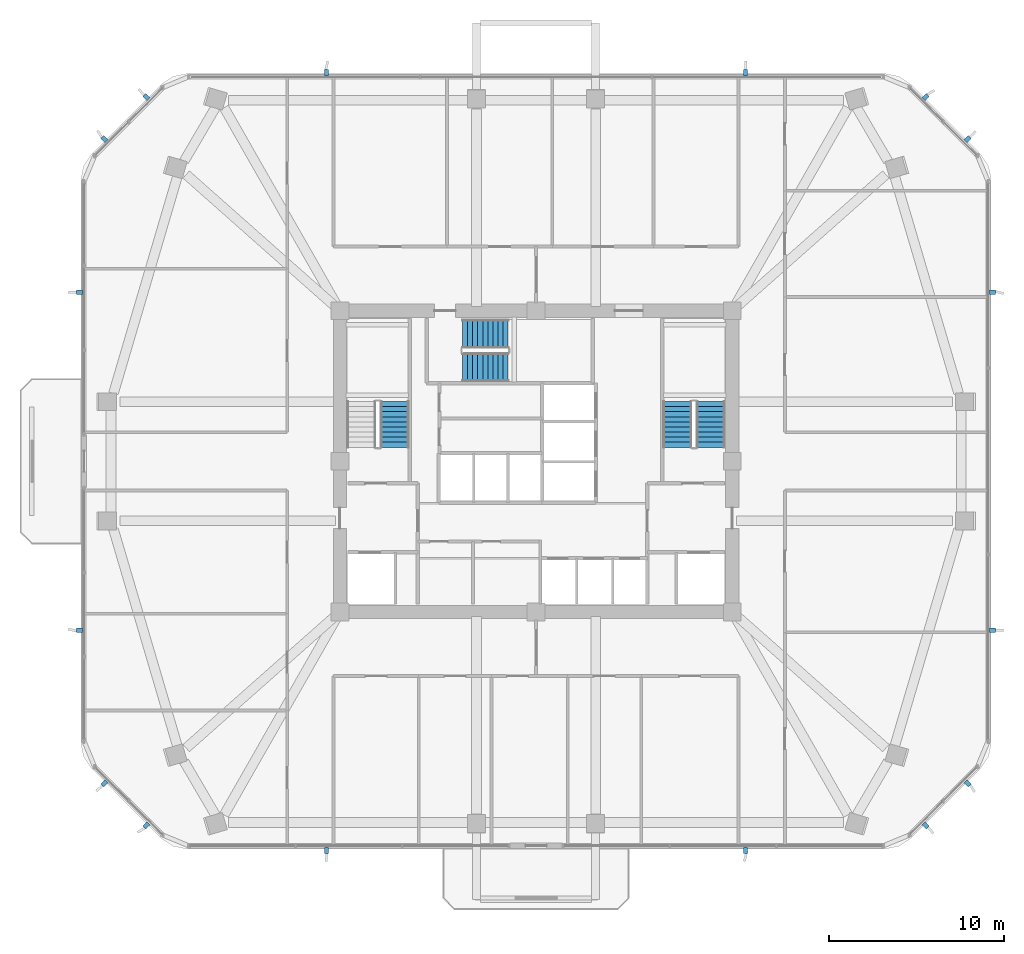
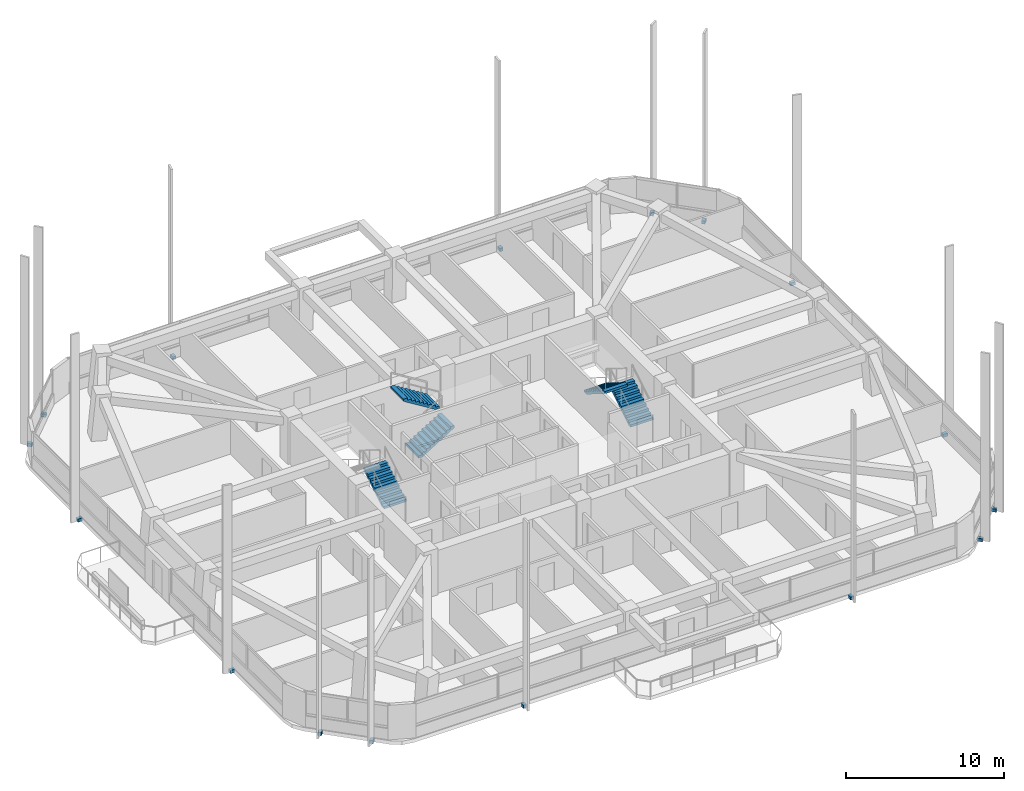
# One storey, part 11 of 15: 16 discrete accessories, 5 stair flights, 3 elements without a shape of their own.
"""IFC4 building model written with IfcOpenShell, lengths in metres."""

from ifc_helpers import new_model, si_unit, derived_unit, direction, frame, origin, origin_2d, place, context, subcontext, project, spatial, polyline, rectangle, outline, extrude, material, type_object, element, aggregate, save


model = new_model("IFC4")

# Units and contexts
model_context = context("Model", 3, precision=1e-05, world=origin(), true_north=direction((0.0, 1.0)))
body_context = subcontext(model_context, "Body", "Model", "MODEL_VIEW")
ifc_project = project(units=[si_unit("LENGTHUNIT", "METRE"), si_unit("AREAUNIT", "SQUARE_METRE"), si_unit("VOLUMEUNIT", "CUBIC_METRE"), si_unit("PLANEANGLEUNIT", "RADIAN"), si_unit("MASSUNIT", "GRAM", prefix="KILO"), derived_unit("THERMALTRANSMITTANCEUNIT", [(si_unit("POWERUNIT", "WATT"), 1), (si_unit("LENGTHUNIT", "METRE"), -2), (si_unit("THERMODYNAMICTEMPERATUREUNIT", "KELVIN"), -1)])], contexts=[model_context])

# Site, building, storey
site_placement = place(None, origin())
site = spatial("IfcSite", under=ifc_project, at=site_placement, CompositionType="ELEMENT")
building_placement = place(site_placement, origin())
building = spatial("IfcBuilding", under=site, at=building_placement, Name="Koralith Skygarden Medical Center", CompositionType="ELEMENT")
storey_placement = place(building_placement, frame((0.0, 0.0, 99.179931640625)))
storey = spatial("IfcBuildingStorey", under=building, at=storey_placement, Name="L25", CompositionType="ELEMENT", Elevation=99.179931640625)

# Stair, stair flight
ifc_material_1 = material(Name="Concrete C45/55", Category="concrete")
stair_type = type_object("IfcStairType", Name="Core Exit Dogleg Concrete Stair", PredefinedType="HALF_TURN_STAIR", material=ifc_material_1)
stair_1_placement = place(storey_placement, origin())
stair_1 = element("IfcStair", 1, at=stair_1_placement, inside=storey, type_object=stair_type, Name="L25 Smokeproof Exit Stair ST1", PredefinedType="HALF_TURN_STAIR")
stair_flight_type = type_object("IfcStairFlightType", Name="Core Exit Concrete Stair Flight 1650", PredefinedType="STRAIGHT", material=ifc_material_1)
stair_flight_1_placement = place(storey_placement, frame((28.925048828125, 26.699951171875, 0.0), z_axis=(0.0, 0.0, 1.0), x_axis=(0.0, 1.0, 0.0)))
stair_flight_1 = element("IfcStairFlight", 2, at=stair_flight_1_placement, type_object=stair_flight_type, Name="ST1 flight 1", NumberOfRisers=10, NumberOfTreads=9, PredefinedType="STRAIGHT", RiserHeight=0.18, TreadLength=0.29, context=body_context, shape_type="SweptSolid", body=[
    extrude(outline(polyline([(0.0, 0.0), (0.0, 0.179931640625), (0.2900390625, 0.179931640625), (0.2900390625, 0.360107421875), (0.580078125, 0.360107421875), (0.580078125, 0.5400390625), (0.8701171875, 0.5400390625), (0.8701171875, 0.719970703125), (1.159912109375, 0.719970703125), (1.159912109375, 0.89990234375), (1.449951171875, 0.89990234375), (1.449951171875, 1.080078125), (1.739990234375, 1.080078125), (1.739990234375, 1.260009765625), (2.030029296875, 1.260009765625), (2.030029296875, 1.43994140625), (2.320068359375, 1.43994140625), (2.320068359375, 1.6201171875), (2.610107421875, 1.6201171875), (2.610107421875, 1.800048828125), (2.610107421875, 1.443603515625), (0.2841796875, 0.0), (0.0, 0.0)])), frame((0.0, 0.824951171875, 0.0), z_axis=(0.0, -1.0, 0.0), x_axis=(1.0, 0.0, 0.0)), (0.0, 0.0, 1.0), 1.64990234375),
])
aggregate(stair_1, [stair_flight_1])

# Stair, stair flights
stair_2_placement = place(storey_placement, origin())
stair_2 = element("IfcStair", 3, at=stair_2_placement, inside=storey, type_object=stair_type, Name="L25 Smokeproof Exit Stair ST2", PredefinedType="HALF_TURN_STAIR")
stair_flight_2_placement = place(storey_placement, frame((46.97509765625, 26.699951171875, 0.0), z_axis=(0.0, 0.0, 1.0), x_axis=(0.0, 1.0, 0.0)))
stair_flight_2 = element("IfcStairFlight", 4, at=stair_flight_2_placement, type_object=stair_flight_type, Name="ST2 flight 1", NumberOfRisers=10, NumberOfTreads=9, PredefinedType="STRAIGHT", RiserHeight=0.18, TreadLength=0.29, context=body_context, shape_type="SweptSolid", body=[
    extrude(outline(polyline([(0.0, 0.0), (0.0, 0.179931640625), (0.2900390625, 0.179931640625), (0.2900390625, 0.360107421875), (0.580078125, 0.360107421875), (0.580078125, 0.5400390625), (0.8701171875, 0.5400390625), (0.8701171875, 0.719970703125), (1.159912109375, 0.719970703125), (1.159912109375, 0.89990234375), (1.449951171875, 0.89990234375), (1.449951171875, 1.080078125), (1.739990234375, 1.080078125), (1.739990234375, 1.260009765625), (2.030029296875, 1.260009765625), (2.030029296875, 1.43994140625), (2.320068359375, 1.43994140625), (2.320068359375, 1.6201171875), (2.610107421875, 1.6201171875), (2.610107421875, 1.800048828125), (2.610107421875, 1.443603515625), (0.2841796875, 0.0), (0.0, 0.0)])), frame((0.0, 0.824951171875, 0.0), z_axis=(0.0, -1.0, 0.0), x_axis=(1.0, 0.0, 0.0)), (0.0, 0.0, 1.0), 1.64990234375),
])
stair_flight_3_placement = place(storey_placement, frame((45.074951171875, 29.31005859375, 1.800048828125), z_axis=(0.0, 0.0, 1.0), x_axis=(0.0, -1.0, 0.0)))
stair_flight_3 = element("IfcStairFlight", 5, at=stair_flight_3_placement, type_object=stair_flight_type, Name="ST2 flight 2", NumberOfRisers=10, NumberOfTreads=9, PredefinedType="STRAIGHT", RiserHeight=0.18, TreadLength=0.29, context=body_context, shape_type="SweptSolid", body=[
    extrude(outline(polyline([(0.0, 0.0), (0.0, 0.179931640625), (0.2900390625, 0.179931640625), (0.2900390625, 0.360107421875), (0.580078125, 0.360107421875), (0.580078125, 0.5400390625), (0.8701171875, 0.5400390625), (0.8701171875, 0.719970703125), (1.159912109375, 0.719970703125), (1.159912109375, 0.89990234375), (1.449951171875, 0.89990234375), (1.449951171875, 1.080078125), (1.739990234375, 1.080078125), (1.739990234375, 1.260009765625), (2.030029296875, 1.260009765625), (2.030029296875, 1.43994140625), (2.320068359375, 1.43994140625), (2.320068359375, 1.6201171875), (2.610107421875, 1.6201171875), (2.610107421875, 1.800048828125), (2.610107421875, 1.443603515625), (0.2841796875, 0.0), (0.0, 0.0)])), frame((0.0, 0.824951171875, 0.0), z_axis=(0.0, -1.0, 0.0), x_axis=(1.0, 0.0, 0.0)), (0.0, 0.0, 1.0), 1.64990234375),
])
aggregate(stair_2, [stair_flight_2, stair_flight_3])

stair_3_placement = place(storey_placement, origin())
stair_3 = element("IfcStair", 6, at=stair_3_placement, inside=storey, type_object=stair_type, Name="L25 Smokeproof Exit Stair ST3", PredefinedType="HALF_TURN_STAIR")
stair_flight_4_placement = place(storey_placement, frame((32.800048828125, 31.27490234375, 0.0), z_axis=(0.0, 0.0, 1.0), x_axis=(1.0, 0.0, 0.0)))
stair_flight_4 = element("IfcStairFlight", 7, at=stair_flight_4_placement, type_object=stair_flight_type, Name="ST3 flight 1", NumberOfRisers=10, NumberOfTreads=9, PredefinedType="STRAIGHT", RiserHeight=0.18, TreadLength=0.29, context=body_context, shape_type="SweptSolid", body=[
    extrude(outline(polyline([(0.0, 0.0), (0.0, 0.179931640625), (0.2900390625, 0.179931640625), (0.2900390625, 0.360107421875), (0.580078125, 0.360107421875), (0.580078125, 0.5400390625), (0.8701171875, 0.5400390625), (0.8701171875, 0.719970703125), (1.159912109375, 0.719970703125), (1.159912109375, 0.89990234375), (1.449951171875, 0.89990234375), (1.449951171875, 1.080078125), (1.739990234375, 1.080078125), (1.739990234375, 1.260009765625), (2.030029296875, 1.260009765625), (2.030029296875, 1.43994140625), (2.320068359375, 1.43994140625), (2.320068359375, 1.6201171875), (2.610107421875, 1.6201171875), (2.610107421875, 1.800048828125), (2.610107421875, 1.443603515625), (0.2841796875, 0.0), (0.0, 0.0)])), frame((0.0, 0.824951171875, 0.0), z_axis=(0.0, -1.0, 0.0), x_axis=(1.0, 0.0, 0.0)), (0.0, 0.0, 1.0), 1.64990234375),
])
stair_flight_5_placement = place(storey_placement, frame((35.409912109375, 33.175048828125, 1.800048828125), z_axis=(0.0, 0.0, 1.0), x_axis=(-1.0, 0.0, 0.0)))
stair_flight_5 = element("IfcStairFlight", 8, at=stair_flight_5_placement, type_object=stair_flight_type, Name="ST3 flight 2", NumberOfRisers=10, NumberOfTreads=9, PredefinedType="STRAIGHT", RiserHeight=0.18, TreadLength=0.29, context=body_context, shape_type="SweptSolid", body=[
    extrude(outline(polyline([(0.0, 0.0), (0.0, 0.179931640625), (0.2900390625, 0.179931640625), (0.2900390625, 0.360107421875), (0.580078125, 0.360107421875), (0.580078125, 0.5400390625), (0.8701171875, 0.5400390625), (0.8701171875, 0.719970703125), (1.159912109375, 0.719970703125), (1.159912109375, 0.89990234375), (1.449951171875, 0.89990234375), (1.449951171875, 1.080078125), (1.739990234375, 1.080078125), (1.739990234375, 1.260009765625), (2.030029296875, 1.260009765625), (2.030029296875, 1.43994140625), (2.320068359375, 1.43994140625), (2.320068359375, 1.6201171875), (2.610107421875, 1.6201171875), (2.610107421875, 1.800048828125), (2.610107421875, 1.443603515625), (0.2841796875, 0.0), (0.0, 0.0)])), frame((0.0, 0.824951171875, 0.0), z_axis=(0.0, -1.0, 0.0), x_axis=(1.0, 0.0, 0.0)), (0.0, 0.0, 1.0), 1.64990234375),
])
aggregate(stair_3, [stair_flight_4, stair_flight_5])

# Discrete accessories
ifc_material_2 = material(Name="Steel ASTM A572 Grade 50", Category="steel")
discrete_accessory_type = type_object("IfcDiscreteAccessoryType", Name="Facade Fin Structural Anchor Bracket", PredefinedType="BRACKET", material=ifc_material_2)
for number, where, z_axis, x_axis, name in (
    (9, (25.033935546875, 3.68505859375, -0.259765625), (0.0, 0.0, 1.0), (0.0, -1.0, 0.0), "L25 S Solar Fin Anchor Bracket 1"),
    (10, (48.966064453125, 3.68505859375, -0.259765625), (0.0, 0.0, 1.0), (0.0, -1.0, 0.0), "L25 S Solar Fin Anchor Bracket 2"),
    (11, (59.2509765625, 5.110107421875, -0.259765625), (0.0, 0.0, 1.0), (0.707106781187, -0.707106781187, 0.0), "L25 SE Solar Fin Anchor Bracket 1"),
    (12, (61.64892578125, 7.508056640625, -0.259765625), (0.0, 0.0, 1.0), (0.707106781187, -0.707106781187, 0.0), "L25 SE Solar Fin Anchor Bracket 2"),
    (13, (63.072998046875, 16.2490234375, -0.259765625), (0.0, 0.0, 1.0), (1.0, 0.0, 0.0), "L25 E Solar Fin Anchor Bracket 1"),
    (14, (63.072998046875, 35.550048828125, -0.259765625), (0.0, 0.0, 1.0), (1.0, 0.0, 0.0), "L25 E Solar Fin Anchor Bracket 2"),
    (15, (61.64892578125, 44.29296875, -0.259765625), (0.0, 0.0, 1.0), (0.707106781187, 0.707106781187, 0.0), "L25 NE Solar Fin Anchor Bracket 1"),
    (16, (59.2509765625, 46.69091796875, -0.259765625), (0.0, 0.0, 1.0), (0.707106781187, 0.707106781187, 0.0), "L25 NE Solar Fin Anchor Bracket 2"),
    (17, (48.966064453125, 48.114013671875, -0.259765625), (0.0, 0.0, 1.0), (0.0, 1.0, 0.0), "L25 N Solar Fin Anchor Bracket 1"),
    (18, (25.033935546875, 48.114013671875, -0.259765625), (0.0, 0.0, 1.0), (0.0, 1.0, 0.0), "L25 N Solar Fin Anchor Bracket 2"),
    (19, (14.7490234375, 46.68994140625, -0.259765625), (0.0, 0.0, 1.0), (-0.707106781187, 0.707106781187, 0.0), "L25 NW Solar Fin Anchor Bracket 1"),
    (20, (12.35107421875, 44.2919921875, -0.259765625), (0.0, 0.0, 1.0), (-0.707106781187, 0.707106781187, 0.0), "L25 NW Solar Fin Anchor Bracket 2"),
    (21, (10.927001953125, 35.550048828125, -0.259765625), (0.0, 0.0, 1.0), (-1.0, 0.0, 0.0), "L25 W Solar Fin Anchor Bracket 1"),
    (22, (10.927001953125, 16.2490234375, -0.259765625), (0.0, 0.0, 1.0), (-1.0, 0.0, 0.0), "L25 W Solar Fin Anchor Bracket 2"),
    (23, (12.35107421875, 7.507080078125, -0.259765625), (0.0, 0.0, 1.0), (-0.707106781187, -0.707106781187, 0.0), "L25 SW Solar Fin Anchor Bracket 1"),
    (24, (14.7490234375, 5.10888671875, -0.259765625), (0.0, 0.0, 1.0), (-0.707106781187, -0.707106781187, 0.0), "L25 SW Solar Fin Anchor Bracket 2"),
):
    element("IfcDiscreteAccessory", number, at=place(storey_placement, frame(where, z_axis=z_axis, x_axis=x_axis)), inside=storey, type_object=discrete_accessory_type, Name=name, PredefinedType="BRACKET", context=body_context, shape_type="SweptSolid", body=[
        extrude(rectangle(XDim=0.340087890625, YDim=0.239990234375, at=origin_2d()), origin(), (0.0, 0.0, 1.0), 0.239990234375),
    ])

save(model, "model.ifc")
